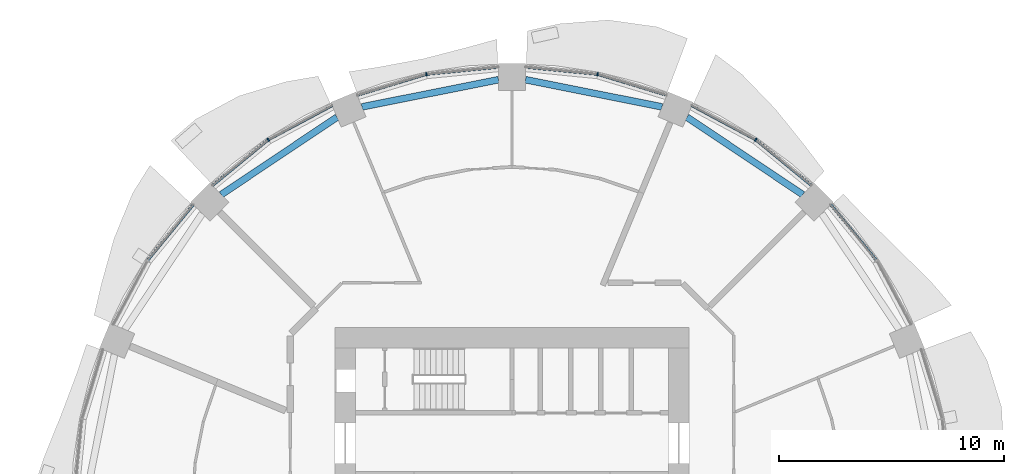
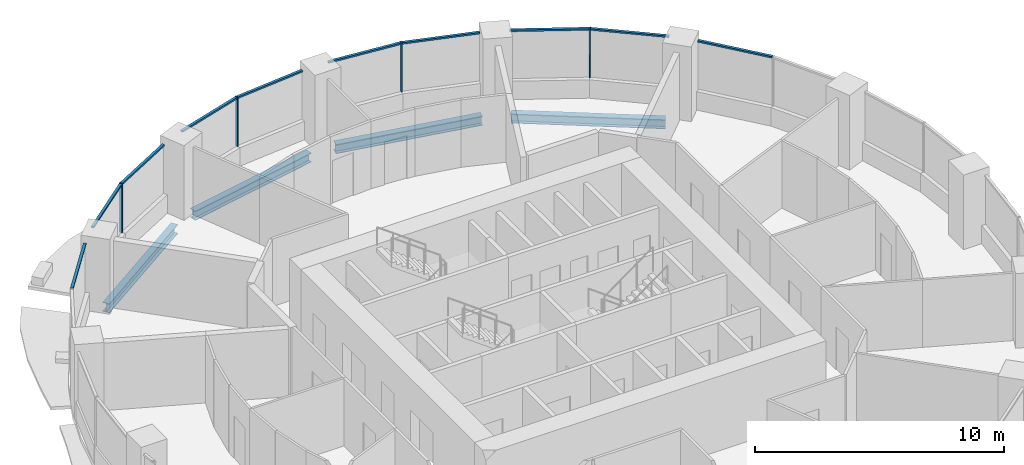
# One storey, part 6 of 15: 14 members, 4 beams, 6 elements without a shape of their own.
"""IFC4 building model written with IfcOpenShell, lengths in metres."""

from ifc_helpers import new_model, si_unit, direction, frame, origin, origin_2d, place, context, subcontext, project, spatial, rectangle, i_section, extrude, material, material_profile, profile_set, type_object, element, aggregate, save


model = new_model("IFC4")

# Units and contexts
model_context = context("Model", 3, precision=1e-05, world=origin(), true_north=direction((0.0, 1.0)))
body_context = subcontext(model_context, "Body", "Model", "MODEL_VIEW")
ifc_project = project(units=[si_unit("LENGTHUNIT", "METRE"), si_unit("AREAUNIT", "SQUARE_METRE"), si_unit("VOLUMEUNIT", "CUBIC_METRE"), si_unit("PLANEANGLEUNIT", "RADIAN"), si_unit("MASSUNIT", "GRAM", prefix="KILO")], contexts=[model_context])

# Site, building, storey
site_placement = place(None, origin())
site = spatial("IfcSite", under=ifc_project, at=site_placement, CompositionType="ELEMENT")
building_placement = place(site_placement, origin())
building = spatial("IfcBuilding", under=site, at=building_placement, Name="Polderwave Tower", CompositionType="ELEMENT")
storey_placement = place(building_placement, frame((0.0, 0.0, 55.39990234375)))
storey = spatial("IfcBuildingStorey", under=building, at=storey_placement, Name="L14", CompositionType="ELEMENT", Elevation=55.39990234375)

# Curtain wall, member
ifc_material_1 = material(Name="Aluminium 6063-T6 and glass", Category="aluminium")
curtain_wall_type = type_object("IfcCurtainWallType", Name="Growing floor ribbon glazing wall", PredefinedType="NOTDEFINED", material=ifc_material_1)
curtain_wall_1_placement = place(storey_placement, origin())
curtain_wall_1 = element("IfcCurtainWall", 1, at=curtain_wall_1_placement, inside=storey, type_object=curtain_wall_type, Name="CW2 L14 02", PredefinedType="NOTDEFINED")
ifc_material_2 = material(Name="Aluminium 6063-T6", Category="aluminium")
ifc_material_profile_1 = material_profile(ifc_material_2, rectangle(XDim=0.14990234375, YDim=0.06005859375, at=origin_2d()), Name="AL 60x150")
ifc_profile_set_1 = profile_set([ifc_material_profile_1], Name="Aluminium 6063-T6")
member_type_1 = type_object("IfcMemberType", Name="Growing floor ribbon glazing mullion 60x150", PredefinedType="MULLION", material=ifc_profile_set_1)
member_1_placement = place(storey_placement, frame((10.85009765625, 16.239013671875, 0.900146484375), z_axis=(0.0, 0.0, 1.0), x_axis=(-0.555576037759, -0.83146573367, 0.0)))
member_1 = element("IfcMember", 2, at=member_1_placement, type_object=member_type_1, Name="CW2 mullion 1", PredefinedType="MULLION", context=body_context, shape_type="SweptSolid", body=[
    extrude(rectangle(XDim=0.14990234375, YDim=0.06005859375, at=origin_2d()), origin(), (0.0, 0.0, 1.0), 2.39990234375),
])

curtain_wall_2_placement = place(storey_placement, origin())
curtain_wall_2 = element("IfcCurtainWall", 3, at=curtain_wall_2_placement, inside=storey, type_object=curtain_wall_type, Name="CW2 L14 03", PredefinedType="NOTDEFINED")
member_2_placement = place(storey_placement, frame((3.81005859375, 19.155029296875, 0.900146484375), z_axis=(0.0, 0.0, 1.0), x_axis=(-0.195148522643, -0.980773701784, 0.0)))
member_2 = element("IfcMember", 4, at=member_2_placement, type_object=member_type_1, Name="CW2 mullion 1", PredefinedType="MULLION", context=body_context, shape_type="SweptSolid", body=[
    extrude(rectangle(XDim=0.14990234375, YDim=0.06005859375, at=origin_2d()), origin(), (0.0, 0.0, 1.0), 2.39990234375),
])

curtain_wall_3_placement = place(storey_placement, origin())
curtain_wall_3 = element("IfcCurtainWall", 5, at=curtain_wall_3_placement, inside=storey, type_object=curtain_wall_type, Name="CW2 L14 04", PredefinedType="NOTDEFINED")
member_3_placement = place(storey_placement, frame((-3.81005859375, 19.155029296875, 0.900146484375), z_axis=(0.0, 0.0, 1.0), x_axis=(0.195148522643, -0.980773701784, 0.0)))
member_3 = element("IfcMember", 6, at=member_3_placement, type_object=member_type_1, Name="CW2 mullion 1", PredefinedType="MULLION", context=body_context, shape_type="SweptSolid", body=[
    extrude(rectangle(XDim=0.14990234375, YDim=0.06005859375, at=origin_2d()), origin(), (0.0, 0.0, 1.0), 2.39990234375),
])

curtain_wall_4_placement = place(storey_placement, origin())
curtain_wall_4 = element("IfcCurtainWall", 7, at=curtain_wall_4_placement, inside=storey, type_object=curtain_wall_type, Name="CW2 L14 05", PredefinedType="NOTDEFINED")
member_4_placement = place(storey_placement, frame((-10.85009765625, 16.239013671875, 0.900146484375), z_axis=(0.0, 0.0, 1.0), x_axis=(0.555576037759, -0.83146573367, 0.0)))
member_4 = element("IfcMember", 8, at=member_4_placement, type_object=member_type_1, Name="CW2 mullion 1", PredefinedType="MULLION", context=body_context, shape_type="SweptSolid", body=[
    extrude(rectangle(XDim=0.14990234375, YDim=0.06005859375, at=origin_2d()), origin(), (0.0, 0.0, 1.0), 2.39990234375),
])

curtain_wall_5_placement = place(storey_placement, origin())
curtain_wall_5 = element("IfcCurtainWall", 9, at=curtain_wall_5_placement, inside=storey, type_object=curtain_wall_type, Name="CW2 L14 01", PredefinedType="NOTDEFINED")
ifc_material_profile_2 = material_profile(ifc_material_2, rectangle(XDim=0.1201171875, YDim=0.080078125, at=origin_2d()), Name="AL 80x120")
ifc_profile_set_2 = profile_set([ifc_material_profile_2], Name="Aluminium 6063-T6")
member_type_2 = type_object("IfcMemberType", Name="Growing floor ribbon glazing transom 80x120", PredefinedType="USERDEFINED", material=ifc_profile_set_2)
member_5_placement = place(storey_placement, frame((16.219970703125, 10.873291015625, 3.260009765625), z_axis=(-0.63447226594, 0.772945627941, 0.0), x_axis=(-0.772945627941, -0.63447226594, 0.0)))
member_5 = element("IfcMember", 10, at=member_5_placement, type_object=member_type_2, Name="CW2 transom 2", ObjectType="TRANSOM", PredefinedType="USERDEFINED", context=body_context, shape_type="SweptSolid", body=[
    extrude(rectangle(XDim=0.1201171875, YDim=0.080078125, at=origin_2d()), origin(), (0.0, 0.0, 1.0), 3.196533203125),
])
aggregate(curtain_wall_5, [member_5])

# Member
member_6_placement = place(storey_placement, frame((13.343994140625, 14.19189453125, 3.260009765625), z_axis=(-0.772945627941, 0.63447226594, 0.0), x_axis=(-0.63447226594, -0.772945627941, 0.0)))
member_6 = element("IfcMember", 11, at=member_6_placement, type_object=member_type_2, Name="CW2 transom 1", ObjectType="TRANSOM", PredefinedType="USERDEFINED", context=body_context, shape_type="SweptSolid", body=[
    extrude(rectangle(XDim=0.1201171875, YDim=0.080078125, at=origin_2d()), origin(), (0.0, 0.0, 1.0), 3.196533203125),
])

member_7_placement = place(storey_placement, frame((10.823486328125, 16.253173828125, 3.260009765625), z_axis=(-0.881929477556, 0.471381370673, 0.0), x_axis=(-0.471381370673, -0.881929477556, 0.0)))
member_7 = element("IfcMember", 12, at=member_7_placement, type_object=member_type_2, Name="CW2 transom 2", ObjectType="TRANSOM", PredefinedType="USERDEFINED", context=body_context, shape_type="SweptSolid", body=[
    extrude(rectangle(XDim=0.1201171875, YDim=0.080078125, at=origin_2d()), origin(), (0.0, 0.0, 1.0), 3.194580078125),
])

aggregate(curtain_wall_1, [member_1, member_6, member_7])

member_8_placement = place(storey_placement, frame((6.89697265625, 18.218017578125, 3.260009765625), z_axis=(-0.95689839473, 0.290422902272, 0.0), x_axis=(-0.290422902272, -0.95689839473, 0.0)))
member_8 = element("IfcMember", 13, at=member_8_placement, type_object=member_type_2, Name="CW2 transom 1", ObjectType="TRANSOM", PredefinedType="USERDEFINED", context=body_context, shape_type="SweptSolid", body=[
    extrude(rectangle(XDim=0.1201171875, YDim=0.080078125, at=origin_2d()), origin(), (0.0, 0.0, 1.0), 3.196044921875),
])

member_9_placement = place(storey_placement, frame((3.780029296875, 19.157958984375, 3.260009765625), z_axis=(-0.99519106363, 0.097952778777, 0.0), x_axis=(-0.097952778777, -0.99519106363, 0.0)))
member_9 = element("IfcMember", 14, at=member_9_placement, type_object=member_type_2, Name="CW2 transom 2", ObjectType="TRANSOM", PredefinedType="USERDEFINED", context=body_context, shape_type="SweptSolid", body=[
    extrude(rectangle(XDim=0.1201171875, YDim=0.080078125, at=origin_2d()), origin(), (0.0, 0.0, 1.0), 3.1953125),
])

aggregate(curtain_wall_2, [member_2, member_8, member_9])

member_10_placement = place(storey_placement, frame((-0.60009765625, 19.470947265625, 3.260009765625), z_axis=(-0.99519106363, -0.097952778777, 0.0), x_axis=(0.097952778777, -0.99519106363, 0.0)))
member_10 = element("IfcMember", 15, at=member_10_placement, type_object=member_type_2, Name="CW2 transom 1", ObjectType="TRANSOM", PredefinedType="USERDEFINED", context=body_context, shape_type="SweptSolid", body=[
    extrude(rectangle(XDim=0.1201171875, YDim=0.080078125, at=origin_2d()), origin(), (0.0, 0.0, 1.0), 3.1953125),
])

member_11_placement = place(storey_placement, frame((-3.838623046875, 19.146240234375, 3.260009765625), z_axis=(-0.95689839473, -0.290422902272, 0.0), x_axis=(0.290422902272, -0.95689839473, 0.0)))
member_11 = element("IfcMember", 16, at=member_11_placement, type_object=member_type_2, Name="CW2 transom 2", ObjectType="TRANSOM", PredefinedType="USERDEFINED", context=body_context, shape_type="SweptSolid", body=[
    extrude(rectangle(XDim=0.1201171875, YDim=0.080078125, at=origin_2d()), origin(), (0.0, 0.0, 1.0), 3.196044921875),
])

aggregate(curtain_wall_3, [member_3, member_10, member_11])

member_12_placement = place(storey_placement, frame((-8.006103515625, 17.759033203125, 3.260009765625), z_axis=(-0.881929477556, -0.471381370673, 0.0), x_axis=(0.471381370673, -0.881929477556, 0.0)))
member_12 = element("IfcMember", 17, at=member_12_placement, type_object=member_type_2, Name="CW2 transom 1", ObjectType="TRANSOM", PredefinedType="USERDEFINED", context=body_context, shape_type="SweptSolid", body=[
    extrude(rectangle(XDim=0.1201171875, YDim=0.080078125, at=origin_2d()), origin(), (0.0, 0.0, 1.0), 3.194580078125),
])

member_13_placement = place(storey_placement, frame((-10.873291015625, 16.219970703125, 3.260009765625), z_axis=(-0.772945627941, -0.63447226594, 0.0), x_axis=(0.63447226594, -0.772945627941, 0.0)))
member_13 = element("IfcMember", 18, at=member_13_placement, type_object=member_type_2, Name="CW2 transom 2", ObjectType="TRANSOM", PredefinedType="USERDEFINED", context=body_context, shape_type="SweptSolid", body=[
    extrude(rectangle(XDim=0.1201171875, YDim=0.080078125, at=origin_2d()), origin(), (0.0, 0.0, 1.0), 3.196533203125),
])

aggregate(curtain_wall_4, [member_4, member_12, member_13])

# Curtain wall, member
curtain_wall_6_placement = place(storey_placement, origin())
curtain_wall_6 = element("IfcCurtainWall", 19, at=curtain_wall_6_placement, inside=storey, type_object=curtain_wall_type, Name="CW2 L14 06", PredefinedType="NOTDEFINED")
member_14_placement = place(storey_placement, frame((-14.19189453125, 13.343994140625, 3.260009765625), z_axis=(-0.63447226594, -0.772945627941, 0.0), x_axis=(0.772945627941, -0.63447226594, 0.0)))
member_14 = element("IfcMember", 20, at=member_14_placement, type_object=member_type_2, Name="CW2 transom 1", ObjectType="TRANSOM", PredefinedType="USERDEFINED", context=body_context, shape_type="SweptSolid", body=[
    extrude(rectangle(XDim=0.1201171875, YDim=0.080078125, at=origin_2d()), origin(), (0.0, 0.0, 1.0), 3.196533203125),
])
aggregate(curtain_wall_6, [member_14])

# Beams
ifc_material_3 = material(Name="Steel S355", Category="steel")
ifc_material_profile_3 = material_profile(ifc_material_3, i_section(OverallWidth=0.300048828125, OverallDepth=0.449951171875, WebThickness=0.013916015625, FlangeThickness=0.02587890625, at=origin_2d()), Name="HE 450 B")
ifc_profile_set_3 = profile_set([ifc_material_profile_3], Name="Steel S355")
beam_type = type_object("IfcBeamType", Name="RING BEAM HE 450 B", PredefinedType="BEAM", material=ifc_profile_set_3)
beam_1_placement = place(storey_placement, frame((12.947509765625, 13.796142578125, -0.574951171875), z_axis=(-0.831480541779, 0.555553875554, 0.0), x_axis=(-0.555553875554, -0.831480541779, 0.0)))
element("IfcBeam", 21, at=beam_1_placement, inside=storey, type_object=beam_type, Name="ST-RB-L14-02", PredefinedType="BEAM", context=body_context, shape_type="SweptSolid", body=[
    extrude(i_section(OverallWidth=0.300048828125, OverallDepth=0.449951171875, WebThickness=0.013916015625, FlangeThickness=0.02587890625, at=origin_2d()), origin(), (0.0, 0.0, 1.0), 6.20166015625),
])
for number, where, z_axis, x_axis, name in (
    (22, (6.682373046875, 17.70068359375, -0.574951171875), (-0.980781542517, 0.195109112701, 0.0), (-0.195109112701, -0.980781542517, 0.0), "ST-RB-L14-03"),
    (23, (-0.60009765625, 18.91064453125, -0.574951171875), (-0.980781542517, -0.195109112701, 0.0), (0.195109112701, -0.980781542517, 0.0), "ST-RB-L14-04"),
):
    element("IfcBeam", number, at=place(storey_placement, frame(where, z_axis=z_axis, x_axis=x_axis)), inside=storey, type_object=beam_type, Name=name, PredefinedType="BEAM", context=body_context, shape_type="SweptSolid", body=[
        extrude(i_section(OverallWidth=0.300048828125, OverallDepth=0.449951171875, WebThickness=0.013916015625, FlangeThickness=0.02587890625, at=origin_2d()), origin(), (0.0, 0.0, 1.0), 6.201416015625),
    ])
beam_2_placement = place(storey_placement, frame((-7.791015625, 17.241455078125, -0.574951171875), z_axis=(-0.831480541779, -0.555553875554, 0.0), x_axis=(0.555553875554, -0.831480541779, 0.0)))
element("IfcBeam", 24, at=beam_2_placement, inside=storey, type_object=beam_type, Name="ST-RB-L14-05", PredefinedType="BEAM", context=body_context, shape_type="SweptSolid", body=[
    extrude(i_section(OverallWidth=0.300048828125, OverallDepth=0.449951171875, WebThickness=0.013916015625, FlangeThickness=0.02587890625, at=origin_2d()), origin(), (0.0, 0.0, 1.0), 6.20166015625),
])

save(model, "model.ifc")
